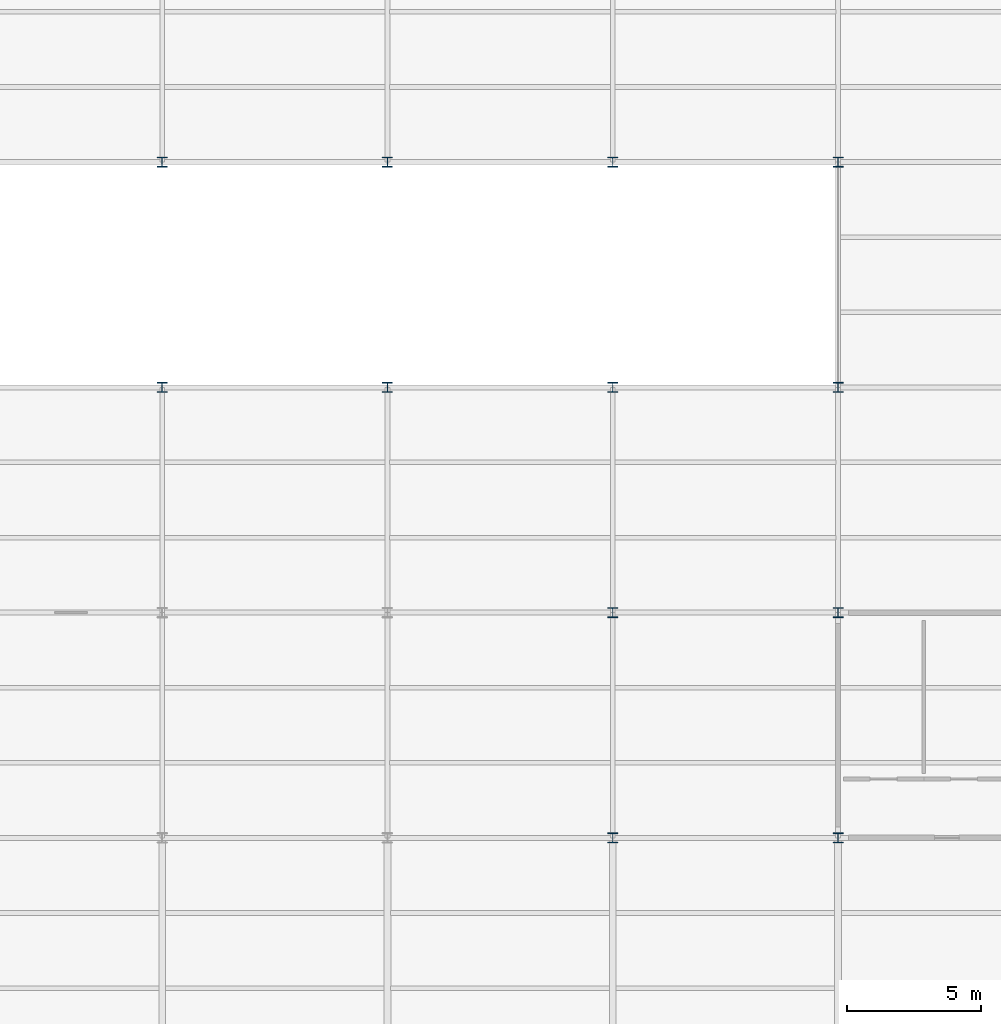
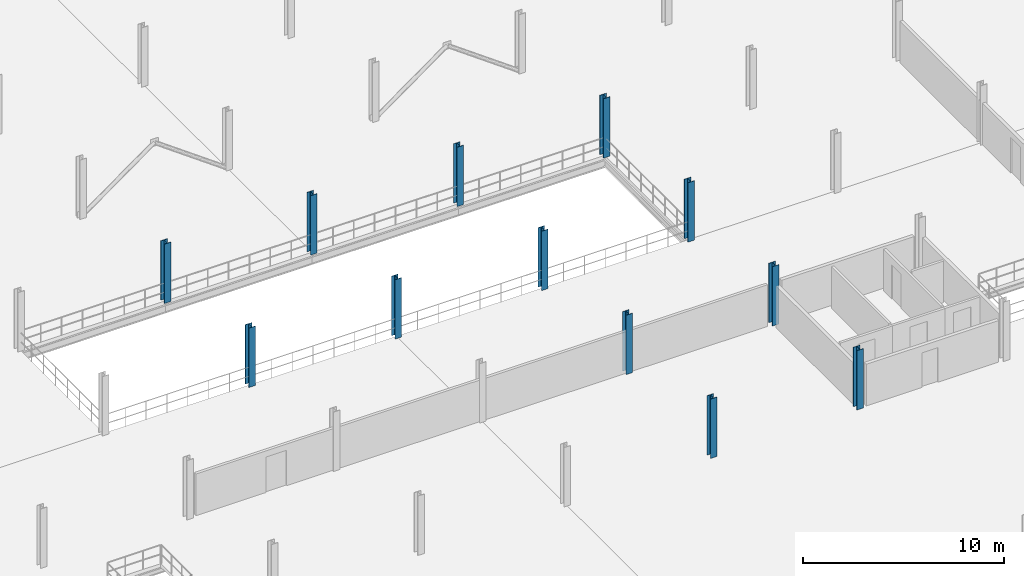
# One storey, part 4 of 62: 12 columns.
"""IFC4 building model written with IfcOpenShell, lengths in metres."""

from ifc_helpers import new_model, si_unit, direction, frame, origin, origin_2d, place, context, subcontext, project, spatial, i_section, extrude, material, material_profile, profile_set, type_object, element, save


model = new_model("IFC4")

# Units and contexts
model_context = context("Model", 3, precision=1e-05, world=origin(), true_north=direction((0.0, 1.0)))
body_context = subcontext(model_context, "Body", "Model", "MODEL_VIEW")
ifc_project = project(units=[si_unit("LENGTHUNIT", "METRE"), si_unit("AREAUNIT", "SQUARE_METRE"), si_unit("VOLUMEUNIT", "CUBIC_METRE"), si_unit("PLANEANGLEUNIT", "RADIAN"), si_unit("MASSUNIT", "GRAM", prefix="KILO"), si_unit("THERMODYNAMICTEMPERATUREUNIT", "KELVIN"), si_unit("POWERUNIT", "WATT")], contexts=[model_context])

# Site, building, storey
site_placement = place(None, origin())
site = spatial("IfcSite", under=ifc_project, at=site_placement, CompositionType="ELEMENT")
building_placement = place(site_placement, origin())
building = spatial("IfcBuilding", under=site, at=building_placement, Name="Tembeka Court Mobility Hub", CompositionType="ELEMENT")
storey_placement = place(building_placement, frame((0.0, 0.0, 16.199951171875)))
storey = spatial("IfcBuildingStorey", under=building, at=storey_placement, Name="L04", CompositionType="ELEMENT", Elevation=16.199951171875)

# Columns
ifc_material = material(Name="Steel S355", Category="steel")
ifc_material_profile = material_profile(ifc_material, i_section(OverallWidth=0.373046875, OverallDepth=0.367919921875, WebThickness=0.014404296875, FlangeThickness=0.023681640625, FilletRadius=0.01513671875, at=origin_2d()), Name="UKC 356x368x177")
ifc_profile_set = profile_set([ifc_material_profile], Name="Steel S355")
column_type = type_object("IfcColumnType", Name="COL-C03", PredefinedType="COLUMN", material=ifc_profile_set)
for number, where, z_axis, x_axis, name in (
    (1, (33.60009765625, 55.199951171875, 0.0), (0.0, 0.0, 1.0), (1.0, 0.0, 0.0), "Column C03 (L04-052)"),
    (2, (33.60009765625, 63.60009765625, 0.0), (0.0, 0.0, 1.0), (1.0, 0.0, 0.0), "Column C03 (L04-053)"),
    (3, (42.0, 55.199951171875, 0.0), (0.0, 0.0, 1.0), (1.0, 0.0, 0.0), "Column C03 (L04-064)"),
    (4, (42.0, 63.60009765625, 0.0), (0.0, 0.0, 1.0), (1.0, 0.0, 0.0), "Column C03 (L04-065)"),
    (5, (50.39990234375, 38.39990234375, 0.0), (0.0, 0.0, 1.0), (1.0, 0.0, 0.0), "Column C03 (L04-074)"),
    (6, (50.39990234375, 46.800048828125, 0.0), (0.0, 0.0, 1.0), (1.0, 0.0, 0.0), "Column C03 (L04-075)"),
    (7, (50.39990234375, 55.199951171875, 0.0), (0.0, 0.0, 1.0), (1.0, 0.0, 0.0), "Column C03 (L04-076)"),
    (8, (50.39990234375, 63.60009765625, 0.0), (0.0, 0.0, 1.0), (1.0, 0.0, 0.0), "Column C03 (L04-077)"),
    (9, (58.800048828125, 38.39990234375, 0.0), (0.0, 0.0, 1.0), (1.0, 0.0, 0.0), "Column C03 (L04-085)"),
    (10, (58.800048828125, 46.800048828125, 0.0), (0.0, 0.0, 1.0), (1.0, 0.0, 0.0), "Column C03 (L04-086)"),
    (11, (58.800048828125, 55.199951171875, 0.0), (0.0, 0.0, 1.0), (1.0, 0.0, 0.0), "Column C03 (L04-087)"),
    (12, (58.800048828125, 63.60009765625, 0.0), (0.0, 0.0, 1.0), (1.0, 0.0, 0.0), "Column C03 (L04-088)"),
):
    element("IfcColumn", number, at=place(storey_placement, frame(where, z_axis=z_axis, x_axis=x_axis)), inside=storey, type_object=column_type, Name=name, PredefinedType="COLUMN", context=body_context, shape_type="SweptSolid", body=[
        extrude(i_section(OverallWidth=0.373046875, OverallDepth=0.367919921875, WebThickness=0.014404296875, FlangeThickness=0.023681640625, FilletRadius=0.01513671875, at=origin_2d()), origin(), (0.0, 0.0, 1.0), 3.60009765625),
    ])

save(model, "model.ifc")
